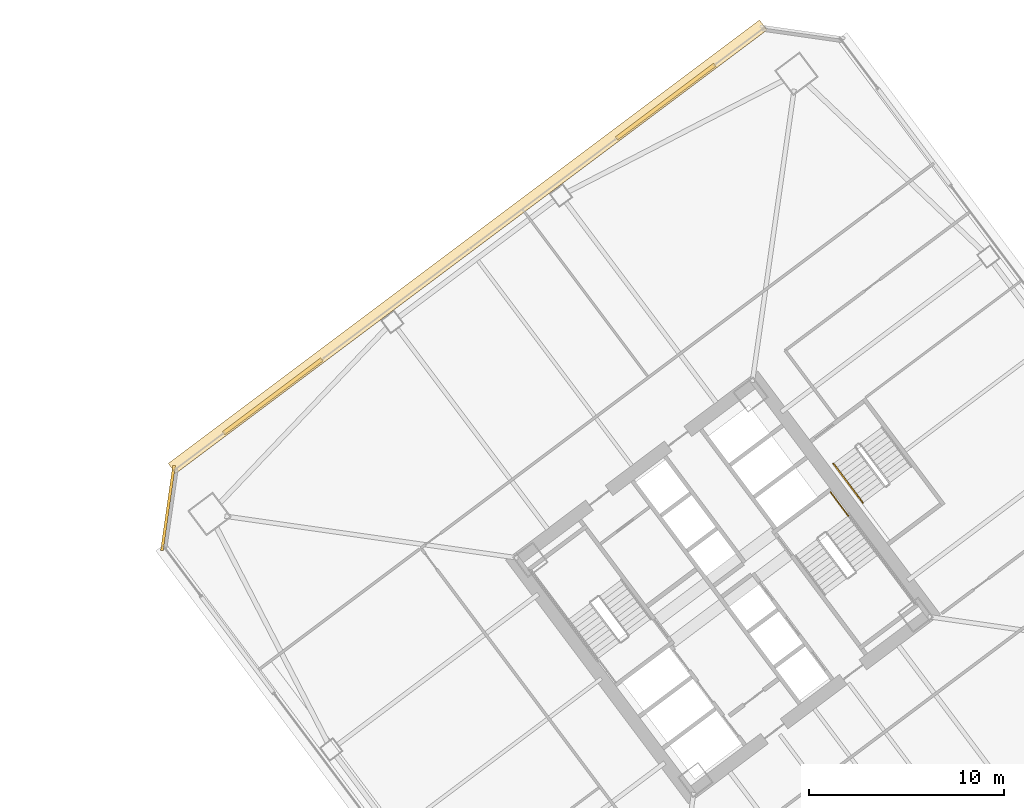
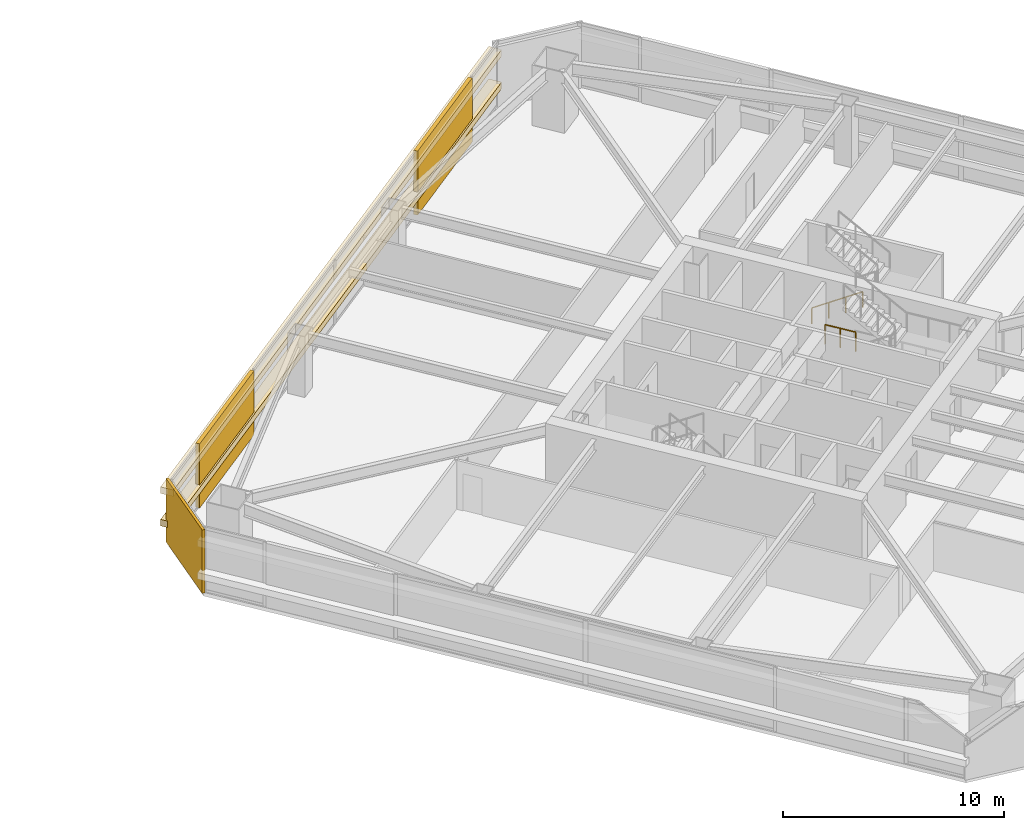
# One storey, part 50 of 51: 5 coverings, 2 railings.
"""IFC4 building model written with IfcOpenShell, lengths in metres."""

from ifc_helpers import new_model, si_unit, direction, frame, origin, origin_2d, place, context, subcontext, project, spatial, rectangle, extrude, material, layer, layer_set, type_object, element, save


model = new_model("IFC4")

# Units and contexts
model_context = context("Model", 3, precision=1e-05, world=origin(), true_north=direction((0.0, 1.0)))
body_context = subcontext(model_context, "Body", "Model", "MODEL_VIEW")
ifc_project = project(units=[si_unit("LENGTHUNIT", "METRE"), si_unit("AREAUNIT", "SQUARE_METRE"), si_unit("VOLUMEUNIT", "CUBIC_METRE"), si_unit("PLANEANGLEUNIT", "RADIAN"), si_unit("MASSUNIT", "GRAM", prefix="KILO")], contexts=[model_context])

# Site, building, storey
site_placement = place(None, origin())
site = spatial("IfcSite", under=ifc_project, at=site_placement, CompositionType="ELEMENT")
building_placement = place(site_placement, origin())
building = spatial("IfcBuilding", under=site, at=building_placement, Name="Tashvorn Skyway Center", CompositionType="ELEMENT")
storey_placement = place(building_placement, frame((0.0, 0.0, 49.449951171875)))
storey = spatial("IfcBuildingStorey", under=building, at=storey_placement, Name="L12", CompositionType="ELEMENT", Elevation=49.449951171875)

# Coverings
ifc_material_1 = material(Name="Precast concrete C40/50", Category="concrete")
ifc_layer_1 = layer(ifc_material_1, 0.199951171875)
ifc_layer_set_1 = layer_set([ifc_layer_1], Name="Precast concrete C40/50")
covering_type_1 = type_object("IfcCoveringType", Name="COV-BRACE-CLAD", PredefinedType="CLADDING", material=ifc_layer_set_1)
for number, where, z_axis, x_axis, name in (
    (1, (90.922607421875, 41.7919921875, 0.0), (0.0, 0.0, 1.0), (0.799999996291, 0.600000004945, 0.0), "Tower 2 L12 North Unitised Curtain Wall Mega-Brace Cladding Band 1"),
    (2, (111.061279296875, 56.89599609375, 0.0), (0.0, 0.0, 1.0), (0.799999996291, 0.600000004945, 0.0), "Tower 2 L12 North Unitised Curtain Wall Mega-Brace Cladding Band 2"),
):
    element("IfcCovering", number, at=place(storey_placement, frame(where, z_axis=z_axis, x_axis=x_axis)), inside=storey, type_object=covering_type_1, Name=name, PredefinedType="CLADDING", context=body_context, shape_type="SweptSolid", body=[
        extrude(rectangle(XDim=6.29345703125, YDim=0.199951171875, at=origin_2d()), origin(), (0.0, 0.0, 1.0), 3.550048828125),
    ])
ifc_material_2 = material(Name="Perforated ceramic-coated bronze aluminium solar screen", Category="aluminium")
ifc_layer_2 = layer(ifc_material_2, 0.85009765625)
ifc_layer_set_2 = layer_set([ifc_layer_2], Name="Perforated ceramic-coated bronze aluminium solar screen")
covering_type_2 = type_object("IfcCoveringType", Name="COV-SOLAR-BAND", PredefinedType="CLADDING", material=ifc_layer_set_2)
for number, where, z_axis, x_axis, name in (
    (3, (100.907958984375, 49.4560546875, 0.919921875), (0.0, 0.0, 1.0), (0.799999996291, 0.600000004945, 0.0), "L12 Perforated Ceramic-Metal Solar Screen Louvre Band North 1"),
    (4, (100.907958984375, 49.4560546875, 2.72021484375), (0.0, 0.0, 1.0), (0.799999996291, 0.600000004945, 0.0), "L12 Perforated Ceramic-Metal Solar Screen Louvre Band North 2"),
):
    element("IfcCovering", number, at=place(storey_placement, frame(where, z_axis=z_axis, x_axis=x_axis)), inside=storey, type_object=covering_type_2, Name=name, PredefinedType="CLADDING", context=body_context, shape_type="SweptSolid", body=[
        extrude(rectangle(XDim=37.8798828125, YDim=0.639892578125, at=origin_2d()), origin(), (0.0, 0.0, 1.0), 0.360107421875),
    ])
ifc_layer_3 = layer(ifc_material_1, 0.35009765625)
ifc_layer_set_3 = layer_set([ifc_layer_3], Name="Precast concrete C40/50")
covering_type_3 = type_object("IfcCoveringType", Name="COV-STONE-TRIM", PredefinedType="CLADDING", material=ifc_layer_set_3)
covering_placement = place(storey_placement, frame((85.552001953125, 36.06396484375, 0.02001953125), z_axis=(0.0, 0.0, 1.0), x_axis=(-0.141421350118, -0.989949494535, 0.0)))
element("IfcCovering", 5, at=covering_placement, inside=storey, type_object=covering_type_3, Name="Tower 2 L12 NW Mojave Limestone Corner Quoin", PredefinedType="CLADDING", context=body_context, shape_type="SweptSolid", body=[
    extrude(rectangle(XDim=4.402587890625, YDim=0.139892578125, at=origin_2d()), origin(), (0.0, 0.0, 1.0), 3.510009765625),
])

# Railings
ifc_material_3 = material(Name="Brushed stainless steel 316", Category="steel")
railing_type_1 = type_object("IfcRailingType", Name="RAIL-HAND-920", PredefinedType="HANDRAIL", material=ifc_material_3)
railing_1_placement = place(storey_placement, frame((119.656005859375, 38.342041015625, 0.177490234375)))
element("IfcRailing", 6, at=railing_1_placement, inside=storey, type_object=railing_type_1, Name="L12 ST-T2-3 stair handrail 1", PredefinedType="HANDRAIL", context=body_context, shape_type="SweptSolid", body=[
    extrude(rectangle(XDim=0.048095703125, YDim=0.048095703125, at=origin_2d()), frame((0.0, 0.0, 0.8759765625), z_axis=(0.506718600913, -0.675679348675, 0.535437836974), x_axis=(0.800023250257, 0.599968998406, 0.0)), (0.0, 0.0, 1.0), 2.98388671875),
    extrude(rectangle(XDim=0.0419921875, YDim=0.0419921875, at=origin_2d()), origin(), (0.0, 0.0, 1.0), 0.851806640625),
    extrude(rectangle(XDim=0.0419921875, YDim=0.0419921875, at=origin_2d()), frame((0.50390625, -0.672119140625, 0.532470703125)), (0.0, 0.0, 1.0), 0.851806640625),
    extrude(rectangle(XDim=0.0419921875, YDim=0.0419921875, at=origin_2d()), frame((1.008056640625, -1.343994140625, 1.065185546875)), (0.0, 0.0, 1.0), 0.851806640625),
    extrude(rectangle(XDim=0.0419921875, YDim=0.0419921875, at=origin_2d()), frame((1.511962890625, -2.01611328125, 1.59765625)), (0.0, 0.0, 1.0), 0.851806640625),
])
ifc_material_4 = material(Name="Painted galvanized steel S355", Category="steel")
railing_type_2 = type_object("IfcRailingType", Name="RAIL-STGUARD-1100", PredefinedType="GUARDRAIL", material=ifc_material_4)
railing_2_placement = place(storey_placement, frame((119.50390625, 36.8779296875, 0.0)))
element("IfcRailing", 7, at=railing_2_placement, inside=storey, type_object=railing_type_2, Name="L12 ST-T2-2 stair guard 6", PredefinedType="GUARDRAIL", context=body_context, shape_type="SweptSolid", body=[
    extrude(rectangle(XDim=0.048095703125, YDim=0.048095703125, at=origin_2d()), frame((0.0, 0.0, 1.076171875), z_axis=(0.600102796382, -0.799922892393, 0.0), x_axis=(0.799922892393, 0.600102796382, 0.0)), (0.0, 0.0, 1.0), 1.52001953125),
    extrude(rectangle(XDim=0.0419921875, YDim=0.0419921875, at=origin_2d()), origin(), (0.0, 0.0, 1.0), 1.052001953125),
    extrude(rectangle(XDim=0.0419921875, YDim=0.0419921875, at=origin_2d()), frame((0.4560546875, -0.60791015625, 0.0)), (0.0, 0.0, 1.0), 1.052001953125),
    extrude(rectangle(XDim=0.0419921875, YDim=0.0419921875, at=origin_2d()), frame((0.912109375, -1.2158203125, 0.0)), (0.0, 0.0, 1.0), 1.052001953125),
])

save(model, "model.ifc")
